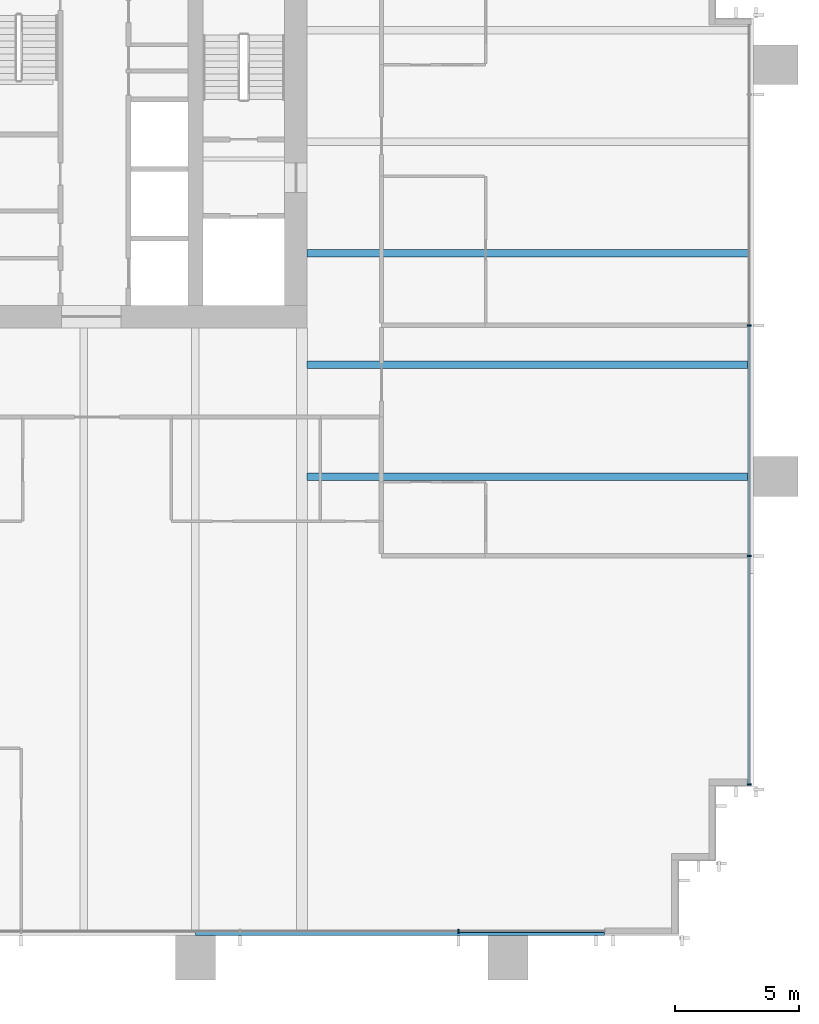
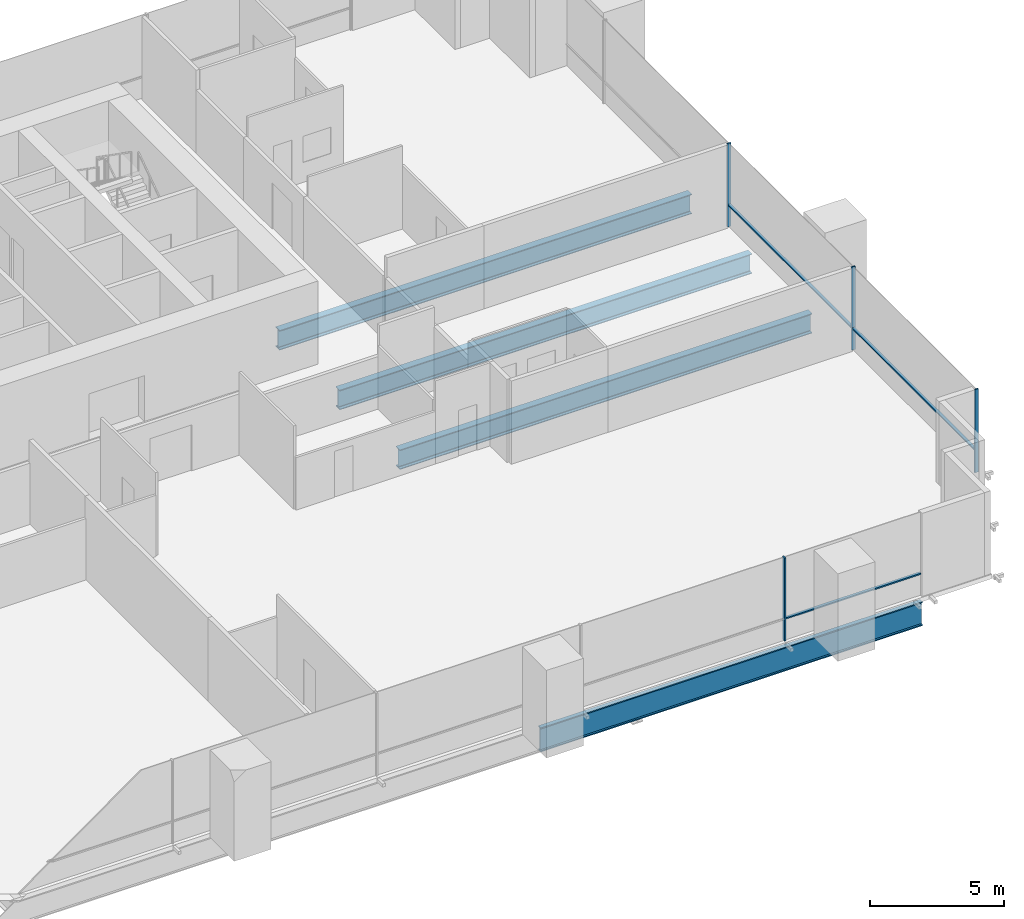
# One storey, part 6 of 17: 7 members, 4 beams, 2 elements without a shape of their own.
"""IFC4 building model written with IfcOpenShell, lengths in metres."""

from ifc_helpers import new_model, si_unit, direction, frame, origin, origin_2d, place, context, subcontext, project, spatial, rectangle, i_section, extrude, material, material_profile, profile_set, type_object, element, aggregate, save


model = new_model("IFC4")

# Units and contexts
model_context = context("Model", 3, precision=1e-05, world=origin(), true_north=direction((0.0, 1.0)))
body_context = subcontext(model_context, "Body", "Model", "MODEL_VIEW")
ifc_project = project(units=[si_unit("LENGTHUNIT", "METRE"), si_unit("AREAUNIT", "SQUARE_METRE"), si_unit("VOLUMEUNIT", "CUBIC_METRE"), si_unit("PLANEANGLEUNIT", "RADIAN"), si_unit("MASSUNIT", "GRAM", prefix="KILO")], contexts=[model_context])

# Site, building, storey
site_placement = place(None, origin())
site = spatial("IfcSite", under=ifc_project, at=site_placement, CompositionType="ELEMENT")
building_placement = place(site_placement, origin())
building = spatial("IfcBuilding", under=site, at=building_placement, Name="Rattan Terrace Tower", CompositionType="ELEMENT")
storey_placement = place(building_placement, frame((0.0, 0.0, 83.699951171875)))
storey = spatial("IfcBuildingStorey", under=building, at=storey_placement, Name="L18", CompositionType="ELEMENT", Elevation=83.699951171875)

# Curtain wall, members
ifc_material_1 = material(Name="Aluminium and glass", Category="aluminium")
curtain_wall_type = type_object("IfcCurtainWallType", Name="Facade Unitised Curtain Wall", PredefinedType="NOTDEFINED", material=ifc_material_1)
curtain_wall_1_placement = place(storey_placement, origin())
curtain_wall_1 = element("IfcCurtainWall", 1, at=curtain_wall_1_placement, inside=storey, type_object=curtain_wall_type, Name="Curtain wall L18-1", PredefinedType="NOTDEFINED")
ifc_material_2 = material(Name="Aluminium", Category="aluminium")
ifc_material_profile_1 = material_profile(ifc_material_2, rectangle(XDim=0.06005859375, YDim=0.159912109375, at=origin_2d()), Name="Aluminium 60x160")
ifc_profile_set_1 = profile_set([ifc_material_profile_1], Name="Aluminium")
member_type_1 = type_object("IfcMemberType", Name="Facade CW Mullion 60x160", PredefinedType="MULLION", material=ifc_profile_set_1)
member_1_placement = place(storey_placement, frame((35.830078125, -25.925048828125, 0.0), z_axis=(0.0, 0.0, 1.0), x_axis=(0.0, 1.0, 0.0)))
member_1 = element("IfcMember", 2, at=member_1_placement, type_object=member_type_1, Name="Mullion cwl-L18-001.1", PredefinedType="MULLION", context=body_context, shape_type="SweptSolid", body=[
    extrude(rectangle(XDim=0.06005859375, YDim=0.159912109375, at=origin_2d()), origin(), (0.0, 0.0, 1.0), 3.800048828125),
])
member_2_placement = place(storey_placement, frame((35.830078125, -16.699951171875, 0.0), z_axis=(0.0, 0.0, 1.0), x_axis=(0.0, 1.0, 0.0)))
member_2 = element("IfcMember", 3, at=member_2_placement, type_object=member_type_1, Name="Mullion cwl-L18-001.2", PredefinedType="MULLION", context=body_context, shape_type="SweptSolid", body=[
    extrude(rectangle(XDim=0.06005859375, YDim=0.159912109375, at=origin_2d()), origin(), (0.0, 0.0, 1.0), 3.800048828125),
])
member_3_placement = place(storey_placement, frame((35.830078125, -7.39990234375, 0.0), z_axis=(0.0, 0.0, 1.0), x_axis=(0.0, 1.0, 0.0)))
member_3 = element("IfcMember", 4, at=member_3_placement, type_object=member_type_1, Name="Mullion cwl-L18-001.3", PredefinedType="MULLION", context=body_context, shape_type="SweptSolid", body=[
    extrude(rectangle(XDim=0.06005859375, YDim=0.159912109375, at=origin_2d()), origin(), (0.0, 0.0, 1.0), 3.800048828125),
])

# Curtain wall, member
curtain_wall_2_placement = place(storey_placement, origin())
curtain_wall_2 = element("IfcCurtainWall", 5, at=curtain_wall_2_placement, inside=storey, type_object=curtain_wall_type, Name="Curtain wall L18-4", PredefinedType="NOTDEFINED")
member_4_placement = place(storey_placement, frame((24.114990234375, -31.830078125, 0.0), z_axis=(0.0, 0.0, 1.0), x_axis=(1.0, 0.0, 0.0)))
member_4 = element("IfcMember", 6, at=member_4_placement, type_object=member_type_1, Name="Mullion cwl-L18-004.6", PredefinedType="MULLION", context=body_context, shape_type="SweptSolid", body=[
    extrude(rectangle(XDim=0.06005859375, YDim=0.159912109375, at=origin_2d()), origin(), (0.0, 0.0, 1.0), 3.800048828125),
])

# Member
ifc_material_3 = material(Name="Aluminium", Category="aluminium")
ifc_material_profile_2 = material_profile(ifc_material_3, rectangle(XDim=0.1201171875, YDim=0.06005859375, at=origin_2d()), Name="Aluminium 120x60")
ifc_profile_set_2 = profile_set([ifc_material_profile_2], Name="Aluminium")
member_type_2 = type_object("IfcMemberType", Name="Facade CW Transom 120x60", PredefinedType="USERDEFINED", material=ifc_profile_set_2)
member_5_placement = place(storey_placement, frame((35.830078125, -25.89501953125, 1.0), z_axis=(0.0, 1.0, 0.0), x_axis=(-1.0, 0.0, 0.0)))
member_5 = element("IfcMember", 7, at=member_5_placement, type_object=member_type_2, Name="Transom cwl-L18-001.1", ObjectType="TRANSOM", PredefinedType="USERDEFINED", context=body_context, shape_type="SweptSolid", body=[
    extrude(rectangle(XDim=0.1201171875, YDim=0.06005859375, at=origin_2d()), origin(), (0.0, 0.0, 1.0), 9.1650390625),
])

member_6_placement = place(storey_placement, frame((35.830078125, -16.669921875, 1.0), z_axis=(0.0, 1.0, 0.0), x_axis=(-1.0, 0.0, 0.0)))
member_6 = element("IfcMember", 8, at=member_6_placement, type_object=member_type_2, Name="Transom cwl-L18-001.2", ObjectType="TRANSOM", PredefinedType="USERDEFINED", context=body_context, shape_type="SweptSolid", body=[
    extrude(rectangle(XDim=0.1201171875, YDim=0.06005859375, at=origin_2d()), origin(), (0.0, 0.0, 1.0), 9.239990234375),
])

aggregate(curtain_wall_1, [member_1, member_2, member_3, member_5, member_6])

member_7_placement = place(storey_placement, frame((24.14501953125, -31.830078125, 1.0), z_axis=(1.0, 0.0, 0.0), x_axis=(0.0, 1.0, 0.0)))
member_7 = element("IfcMember", 9, at=member_7_placement, type_object=member_type_2, Name="Transom cwl-L18-004.6", ObjectType="TRANSOM", PredefinedType="USERDEFINED", context=body_context, shape_type="SweptSolid", body=[
    extrude(rectangle(XDim=0.1201171875, YDim=0.06005859375, at=origin_2d()), origin(), (0.0, 0.0, 1.0), 5.85498046875),
])

aggregate(curtain_wall_2, [member_4, member_7])

# Beams
ifc_material_4 = material(Name="Steel S460", Category="steel")
ifc_material_profile_3 = material_profile(ifc_material_4, i_section(OverallWidth=0.179931640625, OverallDepth=1.10009765625, WebThickness=0.01611328125, FlangeThickness=0.050048828125, at=origin_2d()), Name="PG 1100x180-16-50")
ifc_profile_set_3 = profile_set([ifc_material_profile_3], Name="Steel S460")
beam_type_1 = type_object("IfcBeamType", Name="Frame edge girder PG 1100x180-16-50", PredefinedType="SPANDREL", material=ifc_profile_set_3)
beam_placement = place(storey_placement, frame((30.0, -31.909912109375, -0.75), z_axis=(-1.0, 0.0, 0.0), x_axis=(0.0, -1.0, 0.0)))
element("IfcBeam", 10, at=beam_placement, inside=storey, type_object=beam_type_1, Name="gdr-L18-003", PredefinedType="SPANDREL", context=body_context, shape_type="SweptSolid", body=[
    extrude(i_section(OverallWidth=0.179931640625, OverallDepth=1.10009765625, WebThickness=0.01611328125, FlangeThickness=0.050048828125, at=origin_2d()), origin(), (0.0, 0.0, 1.0), 16.5),
])
ifc_material_5 = material(Name="Steel S355", Category="steel")
ifc_material_profile_4 = material_profile(ifc_material_5, i_section(OverallWidth=0.300048828125, OverallDepth=0.89990234375, WebThickness=0.0185546875, FlangeThickness=0.034912109375, FilletRadius=0.030029296875, at=origin_2d()), Name="HE 900 B")
ifc_profile_set_4 = profile_set([ifc_material_profile_4], Name="Steel S355")
beam_type_2 = type_object("IfcBeamType", Name="Frame floor beam HE 900 B", PredefinedType="JOIST", material=ifc_profile_set_4)
for number, where, z_axis, x_axis, name in (
    (11, (18.0, -13.5, -0.64990234375), (1.0, 0.0, 0.0), (0.0, 1.0, 0.0), "bm-L18-010"),
    (12, (18.0, -9.0, -0.64990234375), (1.0, 0.0, 0.0), (0.0, 1.0, 0.0), "bm-L18-011"),
    (13, (18.0, -4.5, -0.64990234375), (1.0, 0.0, 0.0), (0.0, 1.0, 0.0), "bm-L18-013"),
):
    element("IfcBeam", number, at=place(storey_placement, frame(where, z_axis=z_axis, x_axis=x_axis)), inside=storey, type_object=beam_type_2, Name=name, PredefinedType="JOIST", context=body_context, shape_type="SweptSolid", body=[
        extrude(i_section(OverallWidth=0.300048828125, OverallDepth=0.89990234375, WebThickness=0.0185546875, FlangeThickness=0.034912109375, FilletRadius=0.030029296875, at=origin_2d()), origin(), (0.0, 0.0, 1.0), 17.820068359375),
    ])

save(model, "model.ifc")
